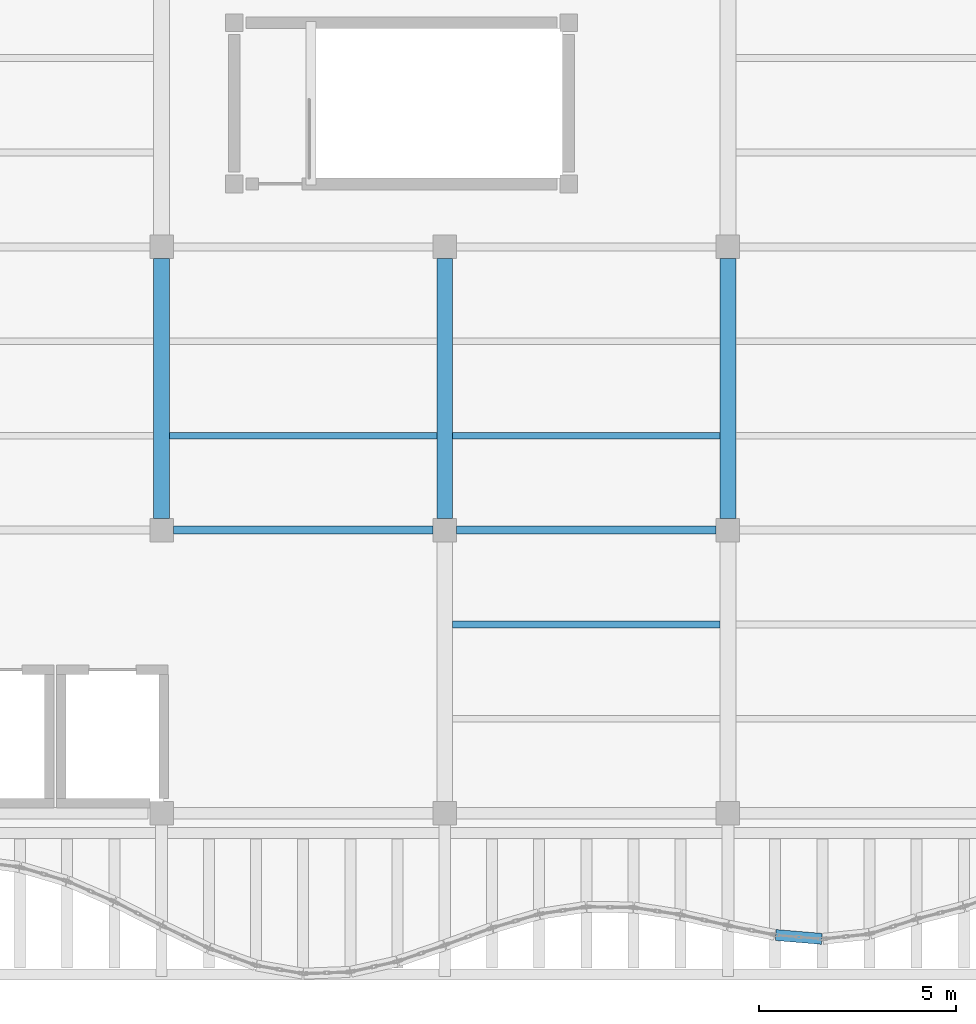
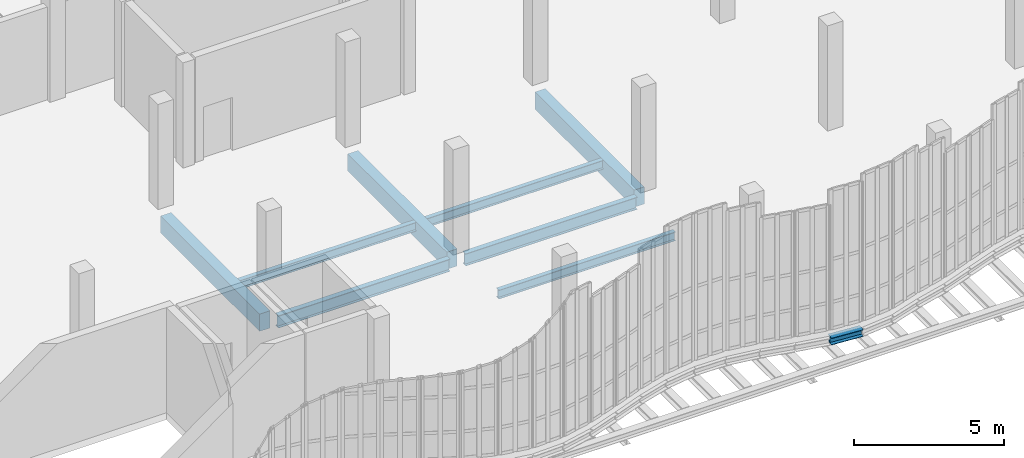
# One storey, part 20 of 76: 9 beams.
"""IFC4 building model written with IfcOpenShell, lengths in metres."""

import ifcopenshell
import ifcopenshell.guid

model = None  # the IFC model being written
_history = None  # IfcOwnerHistory: only IFC2X3 demands one
_inside = {}  # id of a spatial element -> (the spatial element, [elements in it])
_under = {}  # id of a project, library or spatial element -> (it, [spatial elements below it])
_declared = {}  # id of a project -> (the project, [libraries it declares])
_typed = {}  # id of a type object -> (the type object, [elements of that type])
_made_of = {}  # id of a material, layer set ... -> (it, [elements and type objects made of it])


def new_model(schema):
    """Start an empty IFC model of exactly this schema.

    Asked for "IFC4X3", IfcOpenShell would pick the latest addendum, in which some entities
    have other attributes; the version numbers below select the first issue.
    IFC2X3 requires an IfcOwnerHistory on every rooted entity: one is made here for all.
    """
    global model, _history
    if schema == "IFC4X3":
        model = ifcopenshell.file(schema_version=(4, 3, 0, 0))
    else:
        model = ifcopenshell.file(schema=schema)
    _inside.clear()
    _under.clear()
    _declared.clear()
    _typed.clear()
    _made_of.clear()
    _history = None
    if model.schema == "IFC2X3":
        org = make("IfcOrganization", Name="unknown")
        user = make(
            "IfcPersonAndOrganization",
            ThePerson=make("IfcPerson", FamilyName="unknown"),
            TheOrganization=org,
        )
        app = make(
            "IfcApplication",
            ApplicationDeveloper=org,
            Version="unknown",
            ApplicationFullName="unknown",
            ApplicationIdentifier="unknown",
        )
        _history = make(
            "IfcOwnerHistory",
            OwningUser=user,
            OwningApplication=app,
            ChangeAction="ADDED",
            CreationDate=0,
        )
    return model


def make(cls, **values):
    """One entity of the class cls with the attributes given. An attribute that is None is left unset."""
    return model.create_entity(
        cls, **{name: value for name, value in values.items() if value is not None}
    )


def rooted(cls, **values):
    """An entity with a GlobalId (a new one), such as an element, a storey or a relation."""
    return make(cls, GlobalId=ifcopenshell.guid.new(), OwnerHistory=_history, **values)


def si_unit(unit_type, name, prefix=None):
    """IfcSIUnit, for example si_unit("LENGTHUNIT", "METRE", prefix="MILLI")."""
    return make("IfcSIUnit", UnitType=unit_type, Prefix=prefix, Name=name)


def assignment(units):
    """IfcUnitAssignment: the units of a project."""
    return None if units is None else make("IfcUnitAssignment", Units=units)


def point(xyz):
    """IfcCartesianPoint."""
    return None if xyz is None else make("IfcCartesianPoint", Coordinates=xyz)


def direction(xyz):
    """IfcDirection."""
    return None if xyz is None else make("IfcDirection", DirectionRatios=xyz)


def frame(location, z_axis=None, x_axis=None):
    """IfcAxis2Placement3D, a coordinate frame: its origin and axes. An axis left out is left unset."""
    return make(
        "IfcAxis2Placement3D",
        Location=point(location),
        Axis=direction(z_axis),
        RefDirection=direction(x_axis),
    )


def frame_2d(location, x_axis=None):
    """IfcAxis2Placement2D, a coordinate frame in the plane: its origin and x axis."""
    return make(
        "IfcAxis2Placement2D", Location=point(location), RefDirection=direction(x_axis)
    )


def origin():
    """The frame at (0, 0, 0) with its axes left unset."""
    return frame((0.0, 0.0, 0.0))


def origin_2d():
    """The frame at (0, 0) in the plane with its x axis left unset."""
    return frame_2d((0.0, 0.0))


def place(relative_to, where):
    """IfcLocalPlacement: puts the frame where relative to a parent placement (None: the world)."""
    return make(
        "IfcLocalPlacement", PlacementRelTo=relative_to, RelativePlacement=where
    )


def context(
    kind, dimensions, precision=None, world=None, true_north=None, identifier=None
):
    """IfcGeometricRepresentationContext, for example the 3D "Model" context."""
    return make(
        "IfcGeometricRepresentationContext",
        ContextIdentifier=identifier,
        ContextType=kind,
        CoordinateSpaceDimension=dimensions,
        Precision=precision,
        WorldCoordinateSystem=world,
        TrueNorth=true_north,
    )


def subcontext(parent, identifier, kind, view, scale=None):
    """IfcGeometricRepresentationSubContext, for example "Body" below "Model"."""
    return make(
        "IfcGeometricRepresentationSubContext",
        ContextIdentifier=identifier,
        ContextType=kind,
        ParentContext=parent,
        TargetScale=scale,
        TargetView=view,
    )


def project(units=None, contexts=None):
    """IfcProject with its units and contexts."""
    return rooted(
        "IfcProject",
        Name="project",
        RepresentationContexts=contexts,
        UnitsInContext=assignment(units),
    )


def spatial(cls, under=None, at=None, **own):
    """A site, building, storey or space (cls), placed at a placement, below another one or the project."""
    s = rooted(cls, ObjectPlacement=at, **own)
    if under is not None:
        _under.setdefault(under.id(), (under, []))[1].append(s)
    return s


def profile(cls, at=None, kind="AREA", **sizes):
    """A parametric profile (cls). Its sizes go by their IFC names, for example OverallWidth=200.0."""
    return make(cls, ProfileType=kind, Position=at, **sizes)


def rectangle(**sizes):
    """IfcRectangleProfileDef."""
    return profile("IfcRectangleProfileDef", **sizes)


def i_section(**sizes):
    """IfcIShapeProfileDef."""
    return profile("IfcIShapeProfileDef", **sizes)


def extrude(swept, where, along, depth):
    """IfcExtrudedAreaSolid: the profile swept, set in the frame where, extruded along a direction by depth."""
    return make(
        "IfcExtrudedAreaSolid",
        SweptArea=swept,
        Position=where,
        ExtrudedDirection=direction(along),
        Depth=depth,
    )


def shape(context_of_items, identifier, shape_type, items):
    """IfcShapeRepresentation: the items that make up one representation, for example the "Body"."""
    return make(
        "IfcShapeRepresentation",
        ContextOfItems=context_of_items,
        RepresentationIdentifier=identifier,
        RepresentationType=shape_type,
        Items=items,
    )


def material(Name=None, Category=None):
    """IfcMaterial."""
    return make("IfcMaterial", Name=Name, Category=Category)


def material_profile(
    of_material, cross_section, Name=None, Category=None, Priority=None
):
    """IfcMaterialProfile: a cross section and its material."""
    return make(
        "IfcMaterialProfile",
        Name=Name,
        Material=of_material,
        Profile=cross_section,
        Priority=Priority,
        Category=Category,
    )


def profile_set(profiles, Name=None, composite=None):
    """IfcMaterialProfileSet."""
    return make(
        "IfcMaterialProfileSet",
        Name=Name,
        MaterialProfiles=profiles,
        CompositeProfile=composite,
    )


def made_of(thing, what):
    """Note that an element or type object is made of a material, layer set ...; save() writes the relation."""
    if what is not None:
        _made_of.setdefault(what.id(), (what, []))[1].append(thing)
    return thing


def type_object(cls, material=None, **own):
    """A type object (cls), such as IfcWallType, which elements share."""
    return made_of(rooted(cls, **own), material)


def element(
    cls,
    number,
    at=None,
    inside=None,
    cuts=None,
    type_object=None,
    material=None,
    context=None,
    identifier="Body",
    shape_type=None,
    held_by="IfcProductDefinitionShape",
    body=None,
    shapes=None,
    **own,
):
    """One element of the class cls, such as IfcWall. Its Tag is "e" and its number.

    at: its placement. inside: the storey or other place that contains it. cuts: it is an
    opening in that element (IfcRelVoidsElement). A single representation is given by context,
    identifier, shape_type and body (its items); several are given by shapes. held_by: the class
    of the entity that holds the representations. save() writes the other relations.
    """
    e = rooted(cls, Tag="e%d" % number, ObjectPlacement=at, **own)
    if body is not None:
        shapes = [shape(context, identifier, shape_type, body)]
    if shapes is not None:
        e.Representation = make(held_by, Representations=shapes)
    if inside is not None:
        _inside.setdefault(inside.id(), (inside, []))[1].append(e)
    if cuts is not None:
        rooted(
            "IfcRelVoidsElement", RelatingBuildingElement=cuts, RelatedOpeningElement=e
        )
    if type_object is not None:
        _typed.setdefault(type_object.id(), (type_object, []))[1].append(e)
    return made_of(e, material)


def aggregate(whole, parts):
    """IfcRelAggregates: a whole, such as a stair, and the parts it consists of."""
    return rooted("IfcRelAggregates", RelatingObject=whole, RelatedObjects=parts)


def save(model, path):
    """Write the relations noted so far, then the file.

    IfcRelAggregates (storeys below a building ...), IfcRelContainedInSpatialStructure (elements
    in a storey), IfcRelDefinesByType, IfcRelAssociatesMaterial and IfcRelDeclares: one each for
    every whole, place, type object, material and project.
    """
    for whole, parts in _under.values():
        aggregate(whole, parts)
    for where, things in _inside.values():
        rooted(
            "IfcRelContainedInSpatialStructure",
            RelatedElements=things,
            RelatingStructure=where,
        )
    for kind, things in _typed.values():
        rooted("IfcRelDefinesByType", RelatedObjects=things, RelatingType=kind)
    for what, things in _made_of.values():
        rooted("IfcRelAssociatesMaterial", RelatedObjects=things, RelatingMaterial=what)
    for by, libraries in _declared.values():
        rooted("IfcRelDeclares", RelatingContext=by, RelatedDefinitions=libraries)
    model.write(path)


model = new_model("IFC4")

# Units and contexts
model_context = context("Model", 3, precision=1e-05, world=origin(), true_north=direction((0.0, 1.0)))
body_context = subcontext(model_context, "Body", "Model", "MODEL_VIEW")
ifc_project = project(units=[si_unit("LENGTHUNIT", "METRE"), si_unit("AREAUNIT", "SQUARE_METRE"), si_unit("VOLUMEUNIT", "CUBIC_METRE"), si_unit("PLANEANGLEUNIT", "RADIAN"), si_unit("MASSUNIT", "GRAM", prefix="KILO"), si_unit("THERMODYNAMICTEMPERATUREUNIT", "KELVIN"), si_unit("POWERUNIT", "WATT")], contexts=[model_context])

# Site, building, storey
site_placement = place(None, origin())
site = spatial("IfcSite", under=ifc_project, at=site_placement, CompositionType="ELEMENT")
building_placement = place(site_placement, origin())
building = spatial("IfcBuilding", under=site, at=building_placement, Name="Kaldorven Railside Theatre", CompositionType="ELEMENT")
storey_placement = place(building_placement, frame((0.0, 0.0, 14.39990234375)))
storey = spatial("IfcBuildingStorey", under=building, at=storey_placement, Name="L03", CompositionType="ELEMENT", Elevation=14.39990234375)

# Beams
ifc_material_1 = material(Name="Steel S355", Category="steel")
ifc_material_profile_1 = material_profile(ifc_material_1, i_section(OverallWidth=0.280029296875, OverallDepth=0.280029296875, WebThickness=0.010498046875, FlangeThickness=0.01806640625, at=origin_2d()), Name="HEB 280")
ifc_profile_set_1 = profile_set([ifc_material_profile_1], Name="Steel S355")
beam_type_1 = type_object("IfcBeamType", Name="BM-HEB280", PredefinedType="SPANDREL", material=ifc_profile_set_1)
beam_placement = place(storey_placement, frame((88.414794921875, 16.103271484375, -0.419921875), z_axis=(0.996519905815, -0.083355127708, 0.0), x_axis=(0.083355127708, 0.996519905815, 0.0)))
element("IfcBeam", 1, at=beam_placement, inside=storey, type_object=beam_type_1, Name="L03 Sinusoidal Flute Edge Spandrel FSB-188", PredefinedType="SPANDREL", context=body_context, shape_type="SweptSolid", body=[
    extrude(i_section(OverallWidth=0.280029296875, OverallDepth=0.280029296875, WebThickness=0.010498046875, FlangeThickness=0.01806640625, at=origin_2d()), origin(), (0.0, 0.0, 1.0), 1.174560546875),
])
ifc_material_profile_2 = material_profile(ifc_material_1, i_section(OverallWidth=0.169921875, OverallDepth=0.360107421875, WebThickness=0.008056640625, FlangeThickness=0.0126953125, at=origin_2d()), Name="IPE 360")
ifc_profile_set_2 = profile_set([ifc_material_profile_2], Name="Steel S355")
beam_type_2 = type_object("IfcBeamType", Name="BM-IPE360", PredefinedType="JOIST", material=ifc_profile_set_2)
for number, where, z_axis, x_axis, name in (
    (2, (80.199951171875, 24.0, -0.4599609375), (1.0, 0.0, 0.0), (0.0, 1.0, 0.0), "L03 Secondary Floor Joist JG-L03-080-0240"),
    (3, (73.0, 28.800048828125, -0.4599609375), (1.0, 0.0, 0.0), (0.0, 1.0, 0.0), "L03 Secondary Floor Joist JG-L03-072-0288"),
    (4, (80.199951171875, 28.800048828125, -0.4599609375), (1.0, 0.0, 0.0), (0.0, 1.0, 0.0), "L03 Secondary Floor Joist JG-L03-080-0288"),
):
    element("IfcBeam", number, at=place(storey_placement, frame(where, z_axis=z_axis, x_axis=x_axis)), inside=storey, type_object=beam_type_2, Name=name, PredefinedType="JOIST", context=body_context, shape_type="SweptSolid", body=[
        extrude(i_section(OverallWidth=0.169921875, OverallDepth=0.360107421875, WebThickness=0.008056640625, FlangeThickness=0.0126953125, at=origin_2d()), origin(), (0.0, 0.0, 1.0), 6.800048828125),
    ])
ifc_material_profile_3 = material_profile(ifc_material_1, i_section(OverallWidth=0.199951171875, OverallDepth=0.5, WebThickness=0.01025390625, FlangeThickness=0.01611328125, at=origin_2d()), Name="IPE 500")
ifc_profile_set_3 = profile_set([ifc_material_profile_3], Name="Steel S355")
beam_type_3 = type_object("IfcBeamType", Name="BM-IPE500", PredefinedType="BEAM", material=ifc_profile_set_3)
for number, where, z_axis, x_axis, name in (
    (5, (73.10009765625, 26.39990234375, -0.52978515625), (1.0, 0.0, 0.0), (0.0, 1.0, 0.0), "L03 Girder BGX-L03-072-026"),
    (6, (80.300048828125, 26.39990234375, -0.52978515625), (1.0, 0.0, 0.0), (0.0, 1.0, 0.0), "L03 Girder BGX-L03-080-026"),
):
    element("IfcBeam", number, at=place(storey_placement, frame(where, z_axis=z_axis, x_axis=x_axis)), inside=storey, type_object=beam_type_3, Name=name, PredefinedType="BEAM", context=body_context, shape_type="SweptSolid", body=[
        extrude(i_section(OverallWidth=0.199951171875, OverallDepth=0.5, WebThickness=0.01025390625, FlangeThickness=0.01611328125, at=origin_2d()), origin(), (0.0, 0.0, 1.0), 6.599853515625),
    ])
ifc_material_2 = material(Name="Concrete C40/50", Category="concrete")
ifc_material_profile_4 = material_profile(ifc_material_2, rectangle(XDim=0.39990234375, YDim=0.699951171875, at=origin_2d()), Name="RC 400x700")
ifc_profile_set_4 = profile_set([ifc_material_profile_4], Name="Concrete C40/50")
beam_type_4 = type_object("IfcBeamType", Name="BM-RC400x700", PredefinedType="BEAM", material=ifc_profile_set_4)
for number, where, z_axis, x_axis, name in (
    (7, (72.800048828125, 26.699951171875, -0.6298828125), (0.0, 1.0, 0.0), (-1.0, 0.0, 0.0), "L03 Girder BGY-L03-072-026-72"),
    (8, (80.0, 26.699951171875, -0.6298828125), (0.0, 1.0, 0.0), (-1.0, 0.0, 0.0), "L03 Girder BGY-L03-080-026-72"),
    (9, (87.199951171875, 26.699951171875, -0.6298828125), (0.0, 1.0, 0.0), (-1.0, 0.0, 0.0), "L03 Girder BGY-L03-087-026-72"),
):
    element("IfcBeam", number, at=place(storey_placement, frame(where, z_axis=z_axis, x_axis=x_axis)), inside=storey, type_object=beam_type_4, Name=name, PredefinedType="BEAM", context=body_context, shape_type="SweptSolid", body=[
        extrude(rectangle(XDim=0.39990234375, YDim=0.699951171875, at=origin_2d()), origin(), (0.0, 0.0, 1.0), 6.60009765625),
    ])

save(model, "model.ifc")
